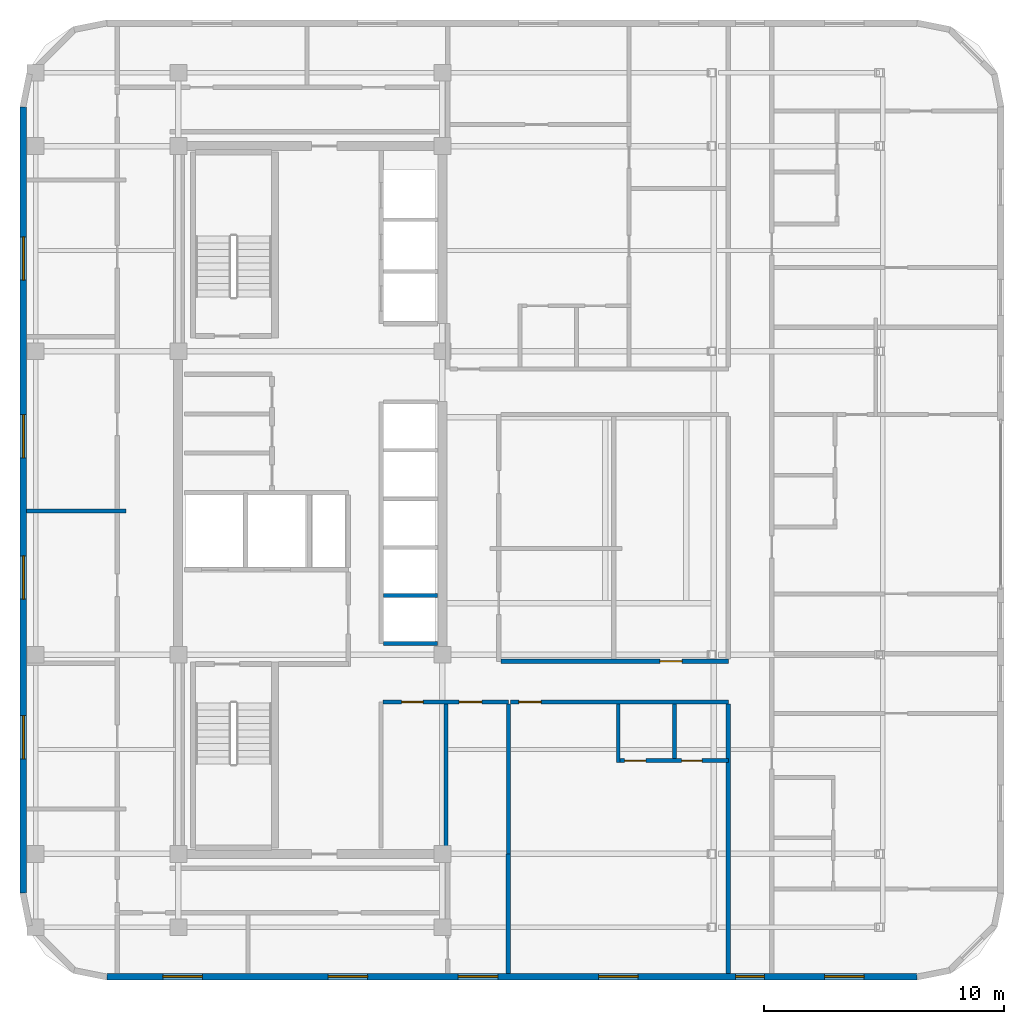
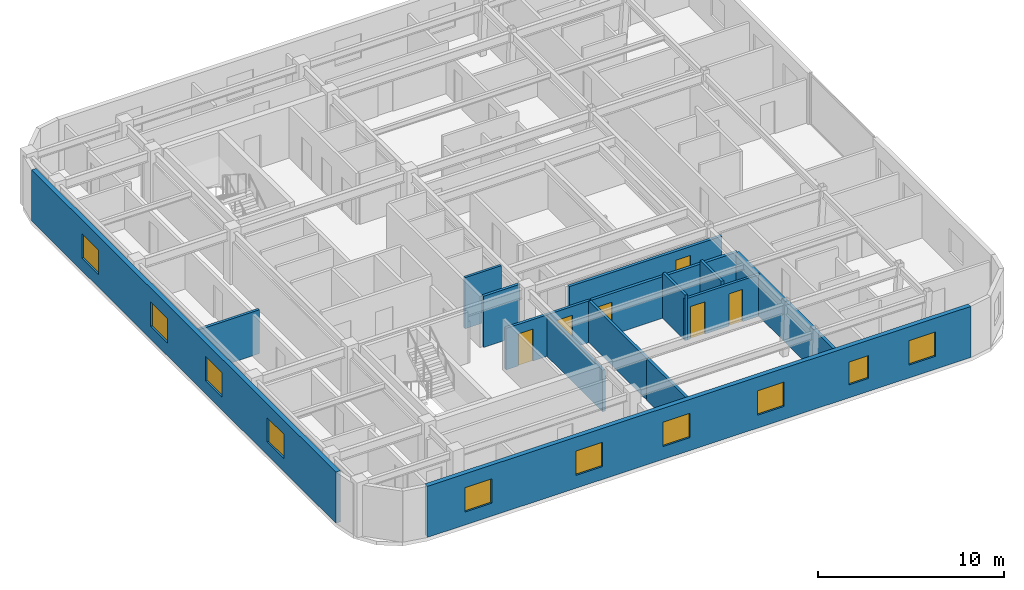
# One storey, part 4 of 9: 15 walls, 10 windows, 6 doors, 16 openings.
"""IFC4 building model written with IfcOpenShell, lengths in metres."""

from ifc_helpers import new_model, si_unit, direction, frame, frame_2d, origin, place, context, subcontext, project, spatial, rectangle, extrude, material, layer, layer_set, type_object, element, fill, save


model = new_model("IFC4")

# Units and contexts
model_context = context("Model", 3, precision=1e-05, world=origin(), true_north=direction((0.0, 1.0)))
body_context = subcontext(model_context, "Body", "Model", "MODEL_VIEW")
ifc_project = project(units=[si_unit("LENGTHUNIT", "METRE"), si_unit("AREAUNIT", "SQUARE_METRE"), si_unit("VOLUMEUNIT", "CUBIC_METRE"), si_unit("PLANEANGLEUNIT", "RADIAN"), si_unit("MASSUNIT", "GRAM", prefix="KILO")], contexts=[model_context])

# Site, building, storey
site_placement = place(None, origin())
site = spatial("IfcSite", under=ifc_project, at=site_placement, CompositionType="ELEMENT")
building_placement = place(site_placement, origin())
building = spatial("IfcBuilding", under=site, at=building_placement, Name="Ochreholt Gables", CompositionType="ELEMENT")
storey_placement = place(building_placement, frame((0.0, 0.0, 184.800048828125)))
storey = spatial("IfcBuildingStorey", under=building, at=storey_placement, Name="L48", CompositionType="ELEMENT", Elevation=184.800048828125)

# Wall, openings, windows
ifc_material_1 = material(Name="Precast concrete 40 MPa", Category="concrete")
ifc_layer_1 = layer(ifc_material_1, 0.280029296875, Name="Precast concrete 40 MPa")
ifc_layer_set_1 = layer_set([ifc_layer_1], Name="Precast concrete 40 MPa")
wall_type_1 = type_object("IfcWallType", Name="WALL-EXT-280", PredefinedType="SOLIDWALL", material=ifc_layer_set_1)
wall_1_placement = place(storey_placement, frame((21.219970703125, 4.139892578125, 0.0), z_axis=(0.0, 0.0, 1.0), x_axis=(1.0, 0.0, 0.0)))
wall_1 = element("IfcWall", 1, at=wall_1_placement, inside=storey, type_object=wall_type_1, Name="L48 South Exterior Wall", PredefinedType="SOLIDWALL", context=body_context, shape_type="SweptSolid", body=[
    extrude(rectangle(XDim=33.760009765625, YDim=0.280029296875, at=frame_2d((16.8798828125, 0.0))), origin(), (0.0, 0.0, 1.0), 3.35986328125),
])
opening_1_placement = place(wall_1_placement, frame((2.330078125, 0.0, 0.85009765625)))
opening_1 = element("IfcOpeningElement", 2, at=opening_1_placement, cuts=wall_1, Name="Opening WN-7", PredefinedType="OPENING", context=body_context, shape_type="SweptSolid", body=[
    extrude(rectangle(XDim=1.64990234375, YDim=1.60009765625, at=frame_2d((0.824951171875, 0.800048828125))), frame((0.0, 0.14990234375, 0.0), z_axis=(0.0, -1.0, 0.0), x_axis=(1.0, 0.0, 0.0)), (0.0, 0.0, 1.0), 0.300048828125),
])
opening_2_placement = place(wall_1_placement, frame((9.215087890625, 0.0, 0.85009765625)))
opening_2 = element("IfcOpeningElement", 3, at=opening_2_placement, cuts=wall_1, Name="Opening WN-7", PredefinedType="OPENING", context=body_context, shape_type="SweptSolid", body=[
    extrude(rectangle(XDim=1.64990234375, YDim=1.60009765625, at=frame_2d((0.824951171875, 0.800048828125))), frame((0.0, 0.14990234375, 0.0), z_axis=(0.0, -1.0, 0.0), x_axis=(1.0, 0.0, 0.0)), (0.0, 0.0, 1.0), 0.300048828125),
])
opening_3_placement = place(wall_1_placement, frame((14.639892578125, 0.0, 0.85009765625)))
opening_3 = element("IfcOpeningElement", 4, at=opening_3_placement, cuts=wall_1, Name="Opening WN-7", PredefinedType="OPENING", context=body_context, shape_type="SweptSolid", body=[
    extrude(rectangle(XDim=1.64990234375, YDim=1.60009765625, at=frame_2d((0.824951171875, 0.800048828125))), frame((0.0, 0.14990234375, 0.0), z_axis=(0.0, -1.0, 0.0), x_axis=(1.0, 0.0, 0.0)), (0.0, 0.0, 1.0), 0.300048828125),
])
opening_4_placement = place(wall_1_placement, frame((20.488525390625, 0.0, 0.85009765625)))
opening_4 = element("IfcOpeningElement", 5, at=opening_4_placement, cuts=wall_1, Name="Opening WN-7", PredefinedType="OPENING", context=body_context, shape_type="SweptSolid", body=[
    extrude(rectangle(XDim=1.64990234375, YDim=1.60009765625, at=frame_2d((0.824951171875, 0.800048828125))), frame((0.0, 0.14990234375, 0.0), z_axis=(0.0, -1.0, 0.0), x_axis=(1.0, 0.0, 0.0)), (0.0, 0.0, 1.0), 0.300048828125),
])
opening_5_placement = place(wall_1_placement, frame((26.197021484375, 0.0, 0.85009765625)))
opening_5 = element("IfcOpeningElement", 6, at=opening_5_placement, cuts=wall_1, Name="Opening WN-3", PredefinedType="OPENING", context=body_context, shape_type="SweptSolid", body=[
    extrude(rectangle(XDim=1.199951171875, YDim=1.5, at=frame_2d((0.60009765625, 0.75))), frame((0.0, 0.14990234375, 0.0), z_axis=(0.0, -1.0, 0.0), x_axis=(1.0, 0.0, 0.0)), (0.0, 0.0, 1.0), 0.300048828125),
])
opening_6_placement = place(wall_1_placement, frame((29.903564453125, 0.0, 0.85009765625)))
opening_6 = element("IfcOpeningElement", 7, at=opening_6_placement, cuts=wall_1, Name="Opening WN-7", PredefinedType="OPENING", context=body_context, shape_type="SweptSolid", body=[
    extrude(rectangle(XDim=1.64990234375, YDim=1.60009765625, at=frame_2d((0.824951171875, 0.800048828125))), frame((0.0, 0.14990234375, 0.0), z_axis=(0.0, -1.0, 0.0), x_axis=(1.0, 0.0, 0.0)), (0.0, 0.0, 1.0), 0.300048828125),
])
ifc_material_2 = material(Name="Triple-Glazed Thermally Broken Aluminium Window", Category="aluminium")
window_type_1 = type_object("IfcWindowType", Name="WIN-RES-1200", PartitioningType="SINGLE_PANEL", PredefinedType="WINDOW", material=ifc_material_2)
window_1_placement = place(opening_5_placement, origin())
window_1 = element("IfcWindow", 8, at=window_1_placement, inside=storey, type_object=window_type_1, Name="L48 Window W-EXT-S-L48-5", OverallHeight=1.5, OverallWidth=1.199951171875, PartitioningType="SINGLE_PANEL", PredefinedType="WINDOW", context=body_context, shape_type="SweptSolid", body=[
    extrude(rectangle(XDim=1.199951171875, YDim=1.5, at=frame_2d((0.60009765625, 0.75))), frame((0.0, 0.030029296875, 0.0), z_axis=(0.0, -1.0, 0.0), x_axis=(1.0, 0.0, 0.0)), (0.0, 0.0, 1.0), 0.06005859375),
])
fill(opening_5, window_1)
window_type_2 = type_object("IfcWindowType", Name="WIN-RES-1650", PartitioningType="SINGLE_PANEL", PredefinedType="WINDOW", material=ifc_material_2)
window_2_placement = place(opening_1_placement, origin())
window_2 = element("IfcWindow", 9, at=window_2_placement, inside=storey, type_object=window_type_2, Name="L48 Window W-EXT-S-L48-1", OverallHeight=1.60009765625, OverallWidth=1.64990234375, PartitioningType="SINGLE_PANEL", PredefinedType="WINDOW", context=body_context, shape_type="SweptSolid", body=[
    extrude(rectangle(XDim=1.64990234375, YDim=1.60009765625, at=frame_2d((0.824951171875, 0.800048828125))), frame((0.0, 0.030029296875, 0.0), z_axis=(0.0, -1.0, 0.0), x_axis=(1.0, 0.0, 0.0)), (0.0, 0.0, 1.0), 0.06005859375),
])
fill(opening_1, window_2)
window_3_placement = place(opening_2_placement, origin())
window_3 = element("IfcWindow", 10, at=window_3_placement, inside=storey, type_object=window_type_2, Name="L48 Window W-EXT-S-L48-2", OverallHeight=1.60009765625, OverallWidth=1.64990234375, PartitioningType="SINGLE_PANEL", PredefinedType="WINDOW", context=body_context, shape_type="SweptSolid", body=[
    extrude(rectangle(XDim=1.64990234375, YDim=1.60009765625, at=frame_2d((0.824951171875, 0.800048828125))), frame((0.0, 0.030029296875, 0.0), z_axis=(0.0, -1.0, 0.0), x_axis=(1.0, 0.0, 0.0)), (0.0, 0.0, 1.0), 0.06005859375),
])
fill(opening_2, window_3)
window_4_placement = place(opening_3_placement, origin())
window_4 = element("IfcWindow", 11, at=window_4_placement, inside=storey, type_object=window_type_2, Name="L48 Window W-EXT-S-L48-3", OverallHeight=1.60009765625, OverallWidth=1.64990234375, PartitioningType="SINGLE_PANEL", PredefinedType="WINDOW", context=body_context, shape_type="SweptSolid", body=[
    extrude(rectangle(XDim=1.64990234375, YDim=1.60009765625, at=frame_2d((0.824951171875, 0.800048828125))), frame((0.0, 0.030029296875, 0.0), z_axis=(0.0, -1.0, 0.0), x_axis=(1.0, 0.0, 0.0)), (0.0, 0.0, 1.0), 0.06005859375),
])
fill(opening_3, window_4)
window_5_placement = place(opening_4_placement, origin())
window_5 = element("IfcWindow", 12, at=window_5_placement, inside=storey, type_object=window_type_2, Name="L48 Window W-EXT-S-L48-4", OverallHeight=1.60009765625, OverallWidth=1.64990234375, PartitioningType="SINGLE_PANEL", PredefinedType="WINDOW", context=body_context, shape_type="SweptSolid", body=[
    extrude(rectangle(XDim=1.64990234375, YDim=1.60009765625, at=frame_2d((0.824951171875, 0.800048828125))), frame((0.0, 0.030029296875, 0.0), z_axis=(0.0, -1.0, 0.0), x_axis=(1.0, 0.0, 0.0)), (0.0, 0.0, 1.0), 0.06005859375),
])
fill(opening_4, window_5)
window_6_placement = place(opening_6_placement, origin())
window_6 = element("IfcWindow", 13, at=window_6_placement, inside=storey, type_object=window_type_2, Name="L48 Window W-EXT-S-L48-6", OverallHeight=1.60009765625, OverallWidth=1.64990234375, PartitioningType="SINGLE_PANEL", PredefinedType="WINDOW", context=body_context, shape_type="SweptSolid", body=[
    extrude(rectangle(XDim=1.64990234375, YDim=1.60009765625, at=frame_2d((0.824951171875, 0.800048828125))), frame((0.0, 0.030029296875, 0.0), z_axis=(0.0, -1.0, 0.0), x_axis=(1.0, 0.0, 0.0)), (0.0, 0.0, 1.0), 0.06005859375),
])
fill(opening_6, window_6)

wall_2_placement = place(storey_placement, frame((17.739990234375, 40.3798828125, 0.0), z_axis=(0.0, 0.0, 1.0), x_axis=(0.0, -1.0, 0.0)))
wall_2 = element("IfcWall", 14, at=wall_2_placement, inside=storey, type_object=wall_type_1, Name="L48 West Exterior Wall", PredefinedType="SOLIDWALL", context=body_context, shape_type="SweptSolid", body=[
    extrude(rectangle(XDim=32.759765625, YDim=0.280029296875, at=frame_2d((16.3798828125, 0.0))), origin(), (0.0, 0.0, 1.0), 3.35986328125),
])
opening_7_placement = place(wall_2_placement, frame((25.362548828125, 0.0, 0.85009765625)))
opening_7 = element("IfcOpeningElement", 15, at=opening_7_placement, cuts=wall_2, Name="Opening WN-1", PredefinedType="OPENING", context=body_context, shape_type="SweptSolid", body=[
    extrude(rectangle(XDim=1.800048828125, YDim=1.60009765625, at=frame_2d((0.89990234375, 0.800048828125))), frame((0.0, 0.14990234375, 0.0), z_axis=(0.0, -1.0, 0.0), x_axis=(1.0, 0.0, 0.0)), (0.0, 0.0, 1.0), 0.300048828125),
])
opening_8_placement = place(wall_2_placement, frame((18.7099609375, 0.0, 0.85009765625)))
opening_8 = element("IfcOpeningElement", 16, at=opening_8_placement, cuts=wall_2, Name="Opening WN-1", PredefinedType="OPENING", context=body_context, shape_type="SweptSolid", body=[
    extrude(rectangle(XDim=1.800048828125, YDim=1.60009765625, at=frame_2d((0.89990234375, 0.800048828125))), frame((0.0, 0.14990234375, 0.0), z_axis=(0.0, -1.0, 0.0), x_axis=(1.0, 0.0, 0.0)), (0.0, 0.0, 1.0), 0.300048828125),
])
opening_9_placement = place(wall_2_placement, frame((12.824951171875, 0.0, 0.85009765625)))
opening_9 = element("IfcOpeningElement", 17, at=opening_9_placement, cuts=wall_2, Name="Opening WN-1", PredefinedType="OPENING", context=body_context, shape_type="SweptSolid", body=[
    extrude(rectangle(XDim=1.800048828125, YDim=1.60009765625, at=frame_2d((0.89990234375, 0.800048828125))), frame((0.0, 0.14990234375, 0.0), z_axis=(0.0, -1.0, 0.0), x_axis=(1.0, 0.0, 0.0)), (0.0, 0.0, 1.0), 0.300048828125),
])
opening_10_placement = place(wall_2_placement, frame((5.41748046875, 0.0, 0.85009765625)))
opening_10 = element("IfcOpeningElement", 18, at=opening_10_placement, cuts=wall_2, Name="Opening WN-1", PredefinedType="OPENING", context=body_context, shape_type="SweptSolid", body=[
    extrude(rectangle(XDim=1.800048828125, YDim=1.60009765625, at=frame_2d((0.89990234375, 0.800048828125))), frame((0.0, 0.14990234375, 0.0), z_axis=(0.0, -1.0, 0.0), x_axis=(1.0, 0.0, 0.0)), (0.0, 0.0, 1.0), 0.300048828125),
])
window_type_3 = type_object("IfcWindowType", Name="WIN-RES-1800", PartitioningType="SINGLE_PANEL", PredefinedType="WINDOW", material=ifc_material_2)
window_7_placement = place(opening_7_placement, origin())
window_7 = element("IfcWindow", 19, at=window_7_placement, inside=storey, type_object=window_type_3, Name="L48 Window W-EXT-W-L48-1", OverallHeight=1.60009765625, OverallWidth=1.800048828125, PartitioningType="SINGLE_PANEL", PredefinedType="WINDOW", context=body_context, shape_type="SweptSolid", body=[
    extrude(rectangle(XDim=1.800048828125, YDim=1.60009765625, at=frame_2d((0.89990234375, 0.800048828125))), frame((0.0, 0.030029296875, 0.0), z_axis=(0.0, -1.0, 0.0), x_axis=(1.0, 0.0, 0.0)), (0.0, 0.0, 1.0), 0.06005859375),
])
fill(opening_7, window_7)
window_8_placement = place(opening_8_placement, origin())
window_8 = element("IfcWindow", 20, at=window_8_placement, inside=storey, type_object=window_type_3, Name="L48 Window W-EXT-W-L48-2", OverallHeight=1.60009765625, OverallWidth=1.800048828125, PartitioningType="SINGLE_PANEL", PredefinedType="WINDOW", context=body_context, shape_type="SweptSolid", body=[
    extrude(rectangle(XDim=1.800048828125, YDim=1.60009765625, at=frame_2d((0.89990234375, 0.800048828125))), frame((0.0, 0.030029296875, 0.0), z_axis=(0.0, -1.0, 0.0), x_axis=(1.0, 0.0, 0.0)), (0.0, 0.0, 1.0), 0.06005859375),
])
fill(opening_8, window_8)
window_9_placement = place(opening_9_placement, origin())
window_9 = element("IfcWindow", 21, at=window_9_placement, inside=storey, type_object=window_type_3, Name="L48 Window W-EXT-W-L48-3", OverallHeight=1.60009765625, OverallWidth=1.800048828125, PartitioningType="SINGLE_PANEL", PredefinedType="WINDOW", context=body_context, shape_type="SweptSolid", body=[
    extrude(rectangle(XDim=1.800048828125, YDim=1.60009765625, at=frame_2d((0.89990234375, 0.800048828125))), frame((0.0, 0.030029296875, 0.0), z_axis=(0.0, -1.0, 0.0), x_axis=(1.0, 0.0, 0.0)), (0.0, 0.0, 1.0), 0.06005859375),
])
fill(opening_9, window_9)
window_10_placement = place(opening_10_placement, origin())
window_10 = element("IfcWindow", 22, at=window_10_placement, inside=storey, type_object=window_type_3, Name="L48 Window W-EXT-W-L48-4", OverallHeight=1.60009765625, OverallWidth=1.800048828125, PartitioningType="SINGLE_PANEL", PredefinedType="WINDOW", context=body_context, shape_type="SweptSolid", body=[
    extrude(rectangle(XDim=1.800048828125, YDim=1.60009765625, at=frame_2d((0.89990234375, 0.800048828125))), frame((0.0, 0.030029296875, 0.0), z_axis=(0.0, -1.0, 0.0), x_axis=(1.0, 0.0, 0.0)), (0.0, 0.0, 1.0), 0.06005859375),
])
fill(opening_10, window_10)

# Wall, opening, door
ifc_material_3 = material(Name="Fire-Rated Gypsum Acoustic Partition", Category="gypsum")
ifc_layer_2 = layer(ifc_material_3, 0.179931640625, Name="Fire-Rated Gypsum Acoustic Partition")
ifc_layer_set_2 = layer_set([ifc_layer_2], Name="Fire-Rated Gypsum Acoustic Partition")
wall_type_2 = type_object("IfcWallType", Name="WALL-INT-CR180", PredefinedType="STANDARD", material=ifc_layer_set_2)
wall_3_placement = place(storey_placement, frame((38.032470703125, 15.580078125, 0.0), z_axis=(0.0, 0.0, 1.0), x_axis=(1.0, 0.0, 0.0)))
wall_3 = element("IfcWall", 23, at=wall_3_placement, inside=storey, type_object=wall_type_2, Name="L48 Interior Wall WI-C2SS1-L48", PredefinedType="STANDARD", context=body_context, shape_type="SweptSolid", body=[
    extrude(rectangle(XDim=9.08447265625, YDim=0.179931640625, at=frame_2d((4.542236328125, 0.0))), origin(), (0.0, 0.0, 1.0), 2.72998046875),
])
opening_11_placement = place(wall_3_placement, frame((0.357421875, 0.0, 0.0)))
opening_11 = element("IfcOpeningElement", 24, at=opening_11_placement, cuts=wall_3, Name="Opening D-UN1", PredefinedType="OPENING", context=body_context, shape_type="SweptSolid", body=[
    extrude(rectangle(XDim=0.919921875, YDim=2.14990234375, at=frame_2d((0.4599609375, 1.074951171875))), frame((0.0, 0.099853515625, 0.0), z_axis=(0.0, -1.0, 0.0), x_axis=(1.0, 0.0, 0.0)), (0.0, 0.0, 1.0), 0.199951171875),
])
ifc_material_4 = material(Name="Engineered Oak Timber", Category="wood")
door_type_1 = type_object("IfcDoorType", Name="DR-INT-UNT920", OperationType="NOTDEFINED", PredefinedType="DOOR", material=ifc_material_4)
door_1_placement = place(opening_11_placement, origin())
door_1 = element("IfcDoor", 25, at=door_1_placement, inside=storey, type_object=door_type_1, Name="L48 Door D-U-L48S1-ENT", OperationType="SINGLE_SWING_RIGHT", OverallHeight=2.14990234375, OverallWidth=0.919921875, PredefinedType="DOOR", context=body_context, shape_type="SweptSolid", body=[
    extrude(rectangle(XDim=0.919921875, YDim=2.14990234375, at=frame_2d((0.4599609375, 1.074951171875))), frame((0.0, 0.02490234375, 0.0), z_axis=(0.0, -1.0, 0.0), x_axis=(1.0, 0.0, 0.0)), (0.0, 0.0, 1.0), 0.050048828125),
])
fill(opening_11, door_1)

wall_4_placement = place(storey_placement, frame((37.639892578125, 17.280029296875, 0.0), z_axis=(0.0, 0.0, 1.0), x_axis=(1.0, 0.0, 0.0)))
wall_4 = element("IfcWall", 26, at=wall_4_placement, inside=storey, type_object=wall_type_2, Name="L48 Interior Wall WI-C2SS2-L48", PredefinedType="STANDARD", context=body_context, shape_type="SweptSolid", body=[
    extrude(rectangle(XDim=9.47705078125, YDim=0.179931640625, at=frame_2d((4.738525390625, 0.0))), origin(), (0.0, 0.0, 1.0), 2.72998046875),
])
opening_12_placement = place(wall_4_placement, frame((6.625244140625, 0.0, 0.0)))
opening_12 = element("IfcOpeningElement", 27, at=opening_12_placement, cuts=wall_4, Name="Opening D-UN1", PredefinedType="OPENING", context=body_context, shape_type="SweptSolid", body=[
    extrude(rectangle(XDim=0.919921875, YDim=2.14990234375, at=frame_2d((0.4599609375, 1.074951171875))), frame((0.0, 0.099853515625, 0.0), z_axis=(0.0, -1.0, 0.0), x_axis=(1.0, 0.0, 0.0)), (0.0, 0.0, 1.0), 0.199951171875),
])
door_2_placement = place(opening_12_placement, origin())
door_2 = element("IfcDoor", 28, at=door_2_placement, inside=storey, type_object=door_type_1, Name="L48 Door D-U-L48M2-ENT", OperationType="SINGLE_SWING_LEFT", OverallHeight=2.14990234375, OverallWidth=0.919921875, PredefinedType="DOOR", context=body_context, shape_type="SweptSolid", body=[
    extrude(rectangle(XDim=0.919921875, YDim=2.14990234375, at=frame_2d((0.4599609375, 1.074951171875))), frame((0.0, 0.02490234375, 0.0), z_axis=(0.0, -1.0, 0.0), x_axis=(1.0, 0.0, 0.0)), (0.0, 0.0, 1.0), 0.050048828125),
])
fill(opening_12, door_2)

# Walls
wall_5_placement = place(storey_placement, frame((47.116943359375, 4.280029296875, 0.0), z_axis=(0.0, 0.0, 1.0), x_axis=(0.0, 1.0, 0.0)))
element("IfcWall", 29, at=wall_5_placement, inside=storey, type_object=wall_type_2, Name="L48 Interior Wall WI-C2FEGW1-L48", PredefinedType="STANDARD", context=body_context, shape_type="SweptSolid", body=[
    extrude(rectangle(XDim=11.2099609375, YDim=0.179931640625, at=frame_2d((5.60498046875, 0.0))), origin(), (0.0, 0.0, 1.0), 2.72998046875),
])
ifc_material_5 = material(Name="Double-Stud Acoustic Demising Wall", Category="gypsum")
ifc_layer_3 = layer(ifc_material_5, 0.179931640625, Name="Double-Stud Acoustic Demising Wall")
ifc_layer_set_3 = layer_set([ifc_layer_3], Name="Double-Stud Acoustic Demising Wall")
wall_type_3 = type_object("IfcWallType", Name="WALL-INT-DM180", PredefinedType="PARTITIONING", material=ifc_layer_set_3)
wall_6_placement = place(storey_placement, frame((37.949951171875, 4.280029296875, 0.0), z_axis=(0.0, 0.0, 1.0), x_axis=(0.0, 1.0, 0.0)))
element("IfcWall", 30, at=wall_6_placement, inside=storey, type_object=wall_type_3, Name="L48 Interior Wall WI-C2SEW2-L48", PredefinedType="PARTITIONING", context=body_context, shape_type="SweptSolid", body=[
    extrude(rectangle(XDim=4.969970703125, YDim=0.179931640625, at=frame_2d((2.48486328125, 0.0))), origin(), (0.0, 0.0, 1.0), 2.72998046875),
])

# Wall, openings, doors
ifc_material_6 = material(Name="Moisture-Resistant Plumbing Chase Wall", Category="gypsum")
ifc_layer_4 = layer(ifc_material_6, 0.159912109375, Name="Moisture-Resistant Plumbing Chase Wall")
ifc_layer_set_4 = layer_set([ifc_layer_4], Name="Moisture-Resistant Plumbing Chase Wall")
wall_type_4 = type_object("IfcWallType", Name="WALL-INT-PL160", PredefinedType="PLUMBINGWALL", material=ifc_layer_set_4)
wall_7_placement = place(storey_placement, frame((42.447021484375, 13.139892578125, 0.0), z_axis=(0.0, 0.0, 1.0), x_axis=(1.0, 0.0, 0.0)))
wall_7 = element("IfcWall", 31, at=wall_7_placement, inside=storey, type_object=wall_type_4, Name="L48 Interior Wall WU-L48S1-WY", PredefinedType="PLUMBINGWALL", context=body_context, shape_type="SweptSolid", body=[
    extrude(rectangle(XDim=4.669921875, YDim=0.159912109375, at=frame_2d((2.3349609375, 0.0))), origin(), (0.0, 0.0, 1.0), 2.72998046875),
])
opening_13_placement = place(wall_7_placement, frame((0.35009765625, 0.0, 0.0)))
opening_13 = element("IfcOpeningElement", 32, at=opening_13_placement, cuts=wall_7, Name="Opening D-GN2", PredefinedType="OPENING", context=body_context, shape_type="SweptSolid", body=[
    extrude(rectangle(XDim=0.8798828125, YDim=2.1201171875, at=frame_2d((0.43994140625, 1.06005859375))), frame((0.0, 0.08984375, 0.0), z_axis=(0.0, -1.0, 0.0), x_axis=(1.0, 0.0, 0.0)), (0.0, 0.0, 1.0), 0.179931640625),
])
opening_14_placement = place(wall_7_placement, frame((2.719970703125, 0.0, 0.0)))
opening_14 = element("IfcOpeningElement", 33, at=opening_14_placement, cuts=wall_7, Name="Opening D-BT1", PredefinedType="OPENING", context=body_context, shape_type="SweptSolid", body=[
    extrude(rectangle(XDim=0.860107421875, YDim=2.1201171875, at=frame_2d((0.43017578125, 1.06005859375))), frame((0.0, 0.08984375, 0.0), z_axis=(0.0, -1.0, 0.0), x_axis=(1.0, 0.0, 0.0)), (0.0, 0.0, 1.0), 0.179931640625),
])
door_type_2 = type_object("IfcDoorType", Name="DR-INT-BTH860", OperationType="NOTDEFINED", PredefinedType="DOOR", material=ifc_material_4)
door_3_placement = place(opening_14_placement, origin())
door_3 = element("IfcDoor", 34, at=door_3_placement, inside=storey, type_object=door_type_2, Name="L48 Door D-U-L48S1-BTH", OperationType="SINGLE_SWING_RIGHT", OverallHeight=2.1201171875, OverallWidth=0.860107421875, PredefinedType="DOOR", context=body_context, shape_type="SweptSolid", body=[
    extrude(rectangle(XDim=0.860107421875, YDim=2.1201171875, at=frame_2d((0.43017578125, 1.06005859375))), frame((0.0, 0.02490234375, 0.0), z_axis=(0.0, -1.0, 0.0), x_axis=(1.0, 0.0, 0.0)), (0.0, 0.0, 1.0), 0.050048828125),
])
fill(opening_14, door_3)
door_type_3 = type_object("IfcDoorType", Name="DR-INT-GEN880", OperationType="NOTDEFINED", PredefinedType="DOOR", material=ifc_material_4)
door_4_placement = place(opening_13_placement, origin())
door_4 = element("IfcDoor", 35, at=door_4_placement, inside=storey, type_object=door_type_3, Name="L48 Door D-U-L48S1-KIT", OperationType="SINGLE_SWING_LEFT", OverallHeight=2.1201171875, OverallWidth=0.8798828125, PredefinedType="DOOR", context=body_context, shape_type="SweptSolid", body=[
    extrude(rectangle(XDim=0.8798828125, YDim=2.1201171875, at=frame_2d((0.43994140625, 1.06005859375))), frame((0.0, 0.02490234375, 0.0), z_axis=(0.0, -1.0, 0.0), x_axis=(1.0, 0.0, 0.0)), (0.0, 0.0, 1.0), 0.050048828125),
])
fill(opening_13, door_4)

# Walls
wall_8_placement = place(storey_placement, frame((42.527099609375, 13.06005859375, 0.0), z_axis=(0.0, 0.0, 1.0), x_axis=(0.0, 1.0, 0.0)))
element("IfcWall", 36, at=wall_8_placement, inside=storey, type_object=wall_type_4, Name="L48 Interior Wall WU-L48S1-FY", PredefinedType="PLUMBINGWALL", context=body_context, shape_type="SweptSolid", body=[
    extrude(rectangle(XDim=2.429931640625, YDim=0.159912109375, at=frame_2d((1.21484375, 0.0))), origin(), (0.0, 0.0, 1.0), 2.98388671875),
])
wall_9_placement = place(storey_placement, frame((44.866943359375, 13.219970703125, 0.0), z_axis=(0.0, 0.0, 1.0), x_axis=(0.0, 1.0, 0.0)))
element("IfcWall", 37, at=wall_9_placement, inside=storey, type_object=wall_type_4, Name="L48 Interior Wall WU-L48S1-WK", PredefinedType="PLUMBINGWALL", context=body_context, shape_type="SweptSolid", body=[
    extrude(rectangle(XDim=2.27001953125, YDim=0.159912109375, at=frame_2d((1.135009765625, 0.0))), origin(), (0.0, 0.0, 1.0), 2.98388671875),
])

# Wall, openings, doors
ifc_material_7 = material(Name="Gypsum Acoustic Stud Partition", Category="gypsum")
ifc_layer_5 = layer(ifc_material_7, 0.1650390625, Name="Gypsum Acoustic Stud Partition")
ifc_layer_set_5 = layer_set([ifc_layer_5], Name="Gypsum Acoustic Stud Partition")
wall_type_5 = type_object("IfcWallType", Name="WALL-INT-PT165", PredefinedType="PARTITIONING", material=ifc_layer_set_5)
wall_10_placement = place(storey_placement, frame((32.732421875, 15.580078125, 0.0), z_axis=(0.0, 0.0, 1.0), x_axis=(1.0, 0.0, 0.0)))
wall_10 = element("IfcWall", 38, at=wall_10_placement, inside=storey, type_object=wall_type_5, Name="L48 Interior Wall WI-RCL-N-L48", PredefinedType="PARTITIONING", context=body_context, shape_type="SweptSolid", body=[
    extrude(rectangle(XDim=5.217529296875, YDim=0.1650390625, at=frame_2d((2.60888671875, 0.0))), origin(), (0.0, 0.0, 1.0), 2.72998046875),
])
opening_15_placement = place(wall_10_placement, frame((0.767578125, 0.0, 0.0)))
opening_15 = element("IfcOpeningElement", 39, at=opening_15_placement, cuts=wall_10, Name="Opening D-SV1", PredefinedType="OPENING", context=body_context, shape_type="SweptSolid", body=[
    extrude(rectangle(XDim=0.89990234375, YDim=2.10009765625, at=frame_2d((0.449951171875, 1.050048828125))), frame((0.0, 0.092529296875, 0.0), z_axis=(0.0, -1.0, 0.0), x_axis=(1.0, 0.0, 0.0)), (0.0, 0.0, 1.0), 0.18505859375),
])
opening_16_placement = place(wall_10_placement, frame((3.16748046875, 0.0, 0.0)))
opening_16 = element("IfcOpeningElement", 40, at=opening_16_placement, cuts=wall_10, Name="Opening D-GN1", PredefinedType="OPENING", context=body_context, shape_type="SweptSolid", body=[
    extrude(rectangle(XDim=0.949951171875, YDim=2.14990234375, at=frame_2d((0.47509765625, 1.074951171875))), frame((0.0, 0.092529296875, 0.0), z_axis=(0.0, -1.0, 0.0), x_axis=(1.0, 0.0, 0.0)), (0.0, 0.0, 1.0), 0.18505859375),
])
door_type_4 = type_object("IfcDoorType", Name="DR-INT-GEN950", OperationType="NOTDEFINED", PredefinedType="DOOR", material=ifc_material_4)
door_5_placement = place(opening_16_placement, origin())
door_5 = element("IfcDoor", 41, at=door_5_placement, inside=storey, type_object=door_type_4, Name="L48 Door D-RCL2-L48", OperationType="SINGLE_SWING_RIGHT", OverallHeight=2.14990234375, OverallWidth=0.949951171875, PredefinedType="DOOR", context=body_context, shape_type="SweptSolid", body=[
    extrude(rectangle(XDim=0.949951171875, YDim=2.14990234375, at=frame_2d((0.47509765625, 1.074951171875))), frame((0.0, 0.02490234375, 0.0), z_axis=(0.0, -1.0, 0.0), x_axis=(1.0, 0.0, 0.0)), (0.0, 0.0, 1.0), 0.050048828125),
])
fill(opening_16, door_5)
ifc_material_8 = material(Name="Hollow Metal Steel", Category="steel")
door_type_5 = type_object("IfcDoorType", Name="DR-INT-SRV900", OperationType="NOTDEFINED", PredefinedType="DOOR", material=ifc_material_8)
door_6_placement = place(opening_15_placement, origin())
door_6 = element("IfcDoor", 42, at=door_6_placement, inside=storey, type_object=door_type_5, Name="L48 Door D-RCL1-L48", OperationType="SINGLE_SWING_LEFT", OverallHeight=2.10009765625, OverallWidth=0.89990234375, PredefinedType="DOOR", context=body_context, shape_type="SweptSolid", body=[
    extrude(rectangle(XDim=0.89990234375, YDim=2.10009765625, at=frame_2d((0.449951171875, 1.050048828125))), frame((0.0, 0.02490234375, 0.0), z_axis=(0.0, -1.0, 0.0), x_axis=(1.0, 0.0, 0.0)), (0.0, 0.0, 1.0), 0.050048828125),
])
fill(opening_15, door_6)

# Walls
wall_11_placement = place(storey_placement, frame((37.949951171875, 9.25, 0.0), z_axis=(0.0, 0.0, 1.0), x_axis=(0.0, 1.0, 0.0)))
element("IfcWall", 43, at=wall_11_placement, inside=storey, type_object=wall_type_5, Name="L48 Interior Wall WI-RCL-E-L48", PredefinedType="PARTITIONING", context=body_context, shape_type="SweptSolid", body=[
    extrude(rectangle(XDim=6.24755859375, YDim=0.1650390625, at=frame_2d((3.123779296875, 0.0))), origin(), (0.0, 0.0, 1.0), 2.72998046875),
])
wall_12_placement = place(storey_placement, frame((35.35009765625, 9.5, 0.0), z_axis=(0.0, 0.0, 1.0), x_axis=(0.0, 1.0, 0.0)))
element("IfcWall", 44, at=wall_12_placement, inside=storey, type_object=wall_type_5, Name="L48 Interior Wall WI-RCL-DV-L48", PredefinedType="PARTITIONING", context=body_context, shape_type="SweptSolid", body=[
    extrude(rectangle(XDim=5.99755859375, YDim=0.1650390625, at=frame_2d((2.998779296875, 0.0))), origin(), (0.0, 0.0, 1.0), 2.72998046875),
])
wall_13_placement = place(storey_placement, frame((17.8798828125, 23.550048828125, 0.0), z_axis=(0.0, 0.0, 1.0), x_axis=(1.0, 0.0, 0.0)))
element("IfcWall", 45, at=wall_13_placement, inside=storey, type_object=wall_type_5, Name="L48 Interior Wall WU-L48W2-SDV", PredefinedType="PARTITIONING", context=body_context, shape_type="SweptSolid", body=[
    extrude(rectangle(XDim=4.130126953125, YDim=0.1650390625, at=frame_2d((2.06494140625, 0.0))), origin(), (0.0, 0.0, 1.0), 2.87890625),
])
ifc_material_9 = material(Name="Gypsum Shaftliner and Steel Stud", Category="steel")
ifc_layer_6 = layer(ifc_material_9, 0.14990234375, Name="Gypsum Shaftliner and Steel Stud")
ifc_layer_set_6 = layer_set([ifc_layer_6], Name="Gypsum Shaftliner and Steel Stud")
wall_type_6 = type_object("IfcWallType", Name="WALL-INT-SH150", PredefinedType="STANDARD", material=ifc_layer_set_6)
wall_14_placement = place(storey_placement, frame((32.739990234375, 20.02001953125, 0.0), z_axis=(0.0, 0.0, 1.0), x_axis=(1.0, 0.0, 0.0)))
element("IfcWall", 46, at=wall_14_placement, inside=storey, type_object=wall_type_6, Name="L48 Interior Wall WI-LFHE-DH1-L48", PredefinedType="STANDARD", context=body_context, shape_type="SweptSolid", body=[
    extrude(rectangle(XDim=2.260009765625, YDim=0.14990234375, at=frame_2d((1.1298828125, 0.0))), origin(), (0.0, 0.0, 1.0), 3.35986328125),
])
ifc_layer_7 = layer(ifc_material_9, 0.179931640625, Name="Gypsum Shaftliner and Steel Stud")
ifc_layer_set_7 = layer_set([ifc_layer_7], Name="Gypsum Shaftliner and Steel Stud")
wall_type_7 = type_object("IfcWallType", Name="WALL-INT-SH180", PredefinedType="STANDARD", material=ifc_layer_set_7)
wall_15_placement = place(storey_placement, frame((32.739990234375, 18.02001953125, 0.0), z_axis=(0.0, 0.0, 1.0), x_axis=(1.0, 0.0, 0.0)))
element("IfcWall", 47, at=wall_15_placement, inside=storey, type_object=wall_type_7, Name="L48 Interior Wall WI-LFHE-S-L48", PredefinedType="STANDARD", context=body_context, shape_type="SweptSolid", body=[
    extrude(rectangle(XDim=2.260009765625, YDim=0.179931640625, at=frame_2d((1.1298828125, 0.0))), origin(), (0.0, 0.0, 1.0), 3.35986328125),
])

save(model, "model.ifc")
